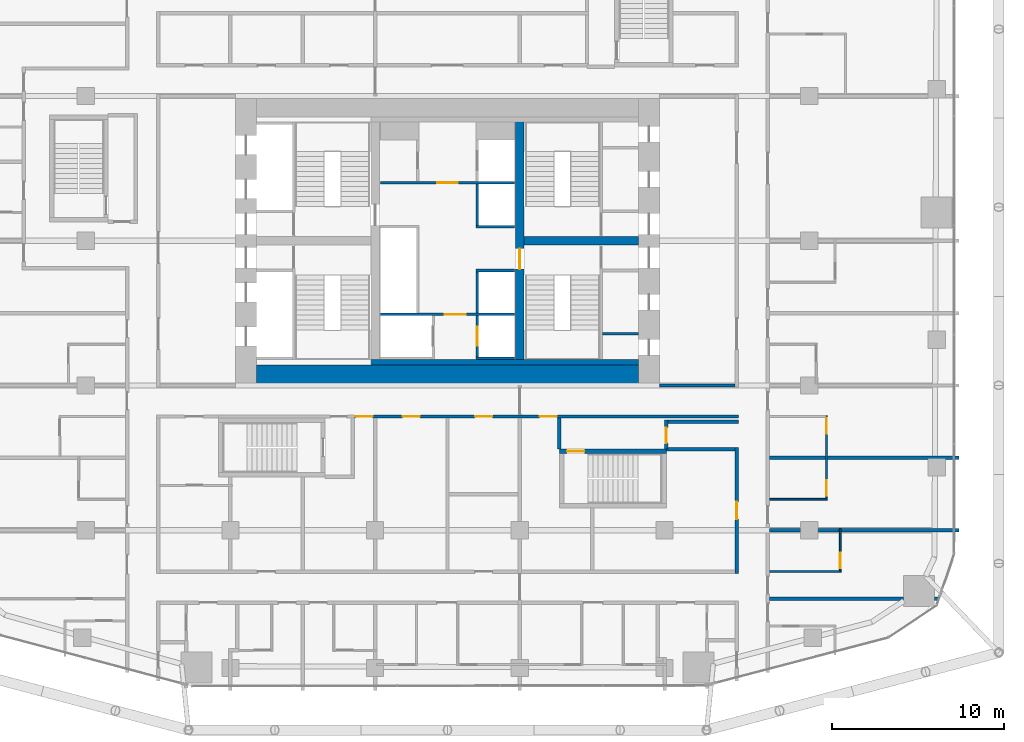
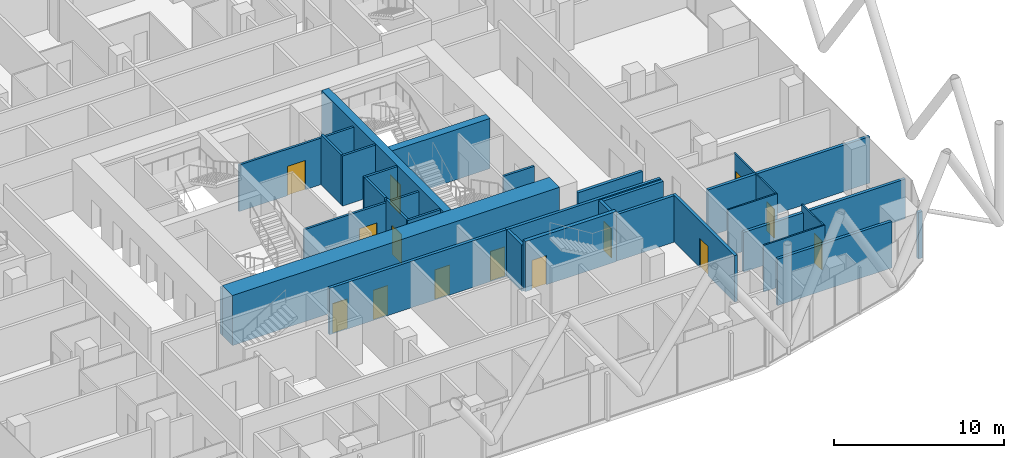
# One storey, part 27 of 35: 30 walls, 14 doors, 14 openings.
"""IFC4 building model written with IfcOpenShell, lengths in metres."""

import ifcopenshell
import ifcopenshell.guid

model = None  # the IFC model being written
_history = None  # IfcOwnerHistory: only IFC2X3 demands one
_inside = {}  # id of a spatial element -> (the spatial element, [elements in it])
_under = {}  # id of a project, library or spatial element -> (it, [spatial elements below it])
_declared = {}  # id of a project -> (the project, [libraries it declares])
_typed = {}  # id of a type object -> (the type object, [elements of that type])
_made_of = {}  # id of a material, layer set ... -> (it, [elements and type objects made of it])


def new_model(schema):
    """Start an empty IFC model of exactly this schema.

    Asked for "IFC4X3", IfcOpenShell would pick the latest addendum, in which some entities
    have other attributes; the version numbers below select the first issue.
    IFC2X3 requires an IfcOwnerHistory on every rooted entity: one is made here for all.
    """
    global model, _history
    if schema == "IFC4X3":
        model = ifcopenshell.file(schema_version=(4, 3, 0, 0))
    else:
        model = ifcopenshell.file(schema=schema)
    _inside.clear()
    _under.clear()
    _declared.clear()
    _typed.clear()
    _made_of.clear()
    _history = None
    if model.schema == "IFC2X3":
        org = make("IfcOrganization", Name="unknown")
        user = make(
            "IfcPersonAndOrganization",
            ThePerson=make("IfcPerson", FamilyName="unknown"),
            TheOrganization=org,
        )
        app = make(
            "IfcApplication",
            ApplicationDeveloper=org,
            Version="unknown",
            ApplicationFullName="unknown",
            ApplicationIdentifier="unknown",
        )
        _history = make(
            "IfcOwnerHistory",
            OwningUser=user,
            OwningApplication=app,
            ChangeAction="ADDED",
            CreationDate=0,
        )
    return model


def make(cls, **values):
    """One entity of the class cls with the attributes given. An attribute that is None is left unset."""
    return model.create_entity(
        cls, **{name: value for name, value in values.items() if value is not None}
    )


def rooted(cls, **values):
    """An entity with a GlobalId (a new one), such as an element, a storey or a relation."""
    return make(cls, GlobalId=ifcopenshell.guid.new(), OwnerHistory=_history, **values)


def si_unit(unit_type, name, prefix=None):
    """IfcSIUnit, for example si_unit("LENGTHUNIT", "METRE", prefix="MILLI")."""
    return make("IfcSIUnit", UnitType=unit_type, Prefix=prefix, Name=name)


def assignment(units):
    """IfcUnitAssignment: the units of a project."""
    return None if units is None else make("IfcUnitAssignment", Units=units)


def point(xyz):
    """IfcCartesianPoint."""
    return None if xyz is None else make("IfcCartesianPoint", Coordinates=xyz)


def direction(xyz):
    """IfcDirection."""
    return None if xyz is None else make("IfcDirection", DirectionRatios=xyz)


def frame(location, z_axis=None, x_axis=None):
    """IfcAxis2Placement3D, a coordinate frame: its origin and axes. An axis left out is left unset."""
    return make(
        "IfcAxis2Placement3D",
        Location=point(location),
        Axis=direction(z_axis),
        RefDirection=direction(x_axis),
    )


def frame_2d(location, x_axis=None):
    """IfcAxis2Placement2D, a coordinate frame in the plane: its origin and x axis."""
    return make(
        "IfcAxis2Placement2D", Location=point(location), RefDirection=direction(x_axis)
    )


def origin():
    """The frame at (0, 0, 0) with its axes left unset."""
    return frame((0.0, 0.0, 0.0))


def place(relative_to, where):
    """IfcLocalPlacement: puts the frame where relative to a parent placement (None: the world)."""
    return make(
        "IfcLocalPlacement", PlacementRelTo=relative_to, RelativePlacement=where
    )


def context(
    kind, dimensions, precision=None, world=None, true_north=None, identifier=None
):
    """IfcGeometricRepresentationContext, for example the 3D "Model" context."""
    return make(
        "IfcGeometricRepresentationContext",
        ContextIdentifier=identifier,
        ContextType=kind,
        CoordinateSpaceDimension=dimensions,
        Precision=precision,
        WorldCoordinateSystem=world,
        TrueNorth=true_north,
    )


def subcontext(parent, identifier, kind, view, scale=None):
    """IfcGeometricRepresentationSubContext, for example "Body" below "Model"."""
    return make(
        "IfcGeometricRepresentationSubContext",
        ContextIdentifier=identifier,
        ContextType=kind,
        ParentContext=parent,
        TargetScale=scale,
        TargetView=view,
    )


def project(units=None, contexts=None):
    """IfcProject with its units and contexts."""
    return rooted(
        "IfcProject",
        Name="project",
        RepresentationContexts=contexts,
        UnitsInContext=assignment(units),
    )


def spatial(cls, under=None, at=None, **own):
    """A site, building, storey or space (cls), placed at a placement, below another one or the project."""
    s = rooted(cls, ObjectPlacement=at, **own)
    if under is not None:
        _under.setdefault(under.id(), (under, []))[1].append(s)
    return s


def profile(cls, at=None, kind="AREA", **sizes):
    """A parametric profile (cls). Its sizes go by their IFC names, for example OverallWidth=200.0."""
    return make(cls, ProfileType=kind, Position=at, **sizes)


def rectangle(**sizes):
    """IfcRectangleProfileDef."""
    return profile("IfcRectangleProfileDef", **sizes)


def extrude(swept, where, along, depth):
    """IfcExtrudedAreaSolid: the profile swept, set in the frame where, extruded along a direction by depth."""
    return make(
        "IfcExtrudedAreaSolid",
        SweptArea=swept,
        Position=where,
        ExtrudedDirection=direction(along),
        Depth=depth,
    )


def shape(context_of_items, identifier, shape_type, items):
    """IfcShapeRepresentation: the items that make up one representation, for example the "Body"."""
    return make(
        "IfcShapeRepresentation",
        ContextOfItems=context_of_items,
        RepresentationIdentifier=identifier,
        RepresentationType=shape_type,
        Items=items,
    )


def material(Name=None, Category=None):
    """IfcMaterial."""
    return make("IfcMaterial", Name=Name, Category=Category)


def layer(
    of_material, thickness, ventilated=None, Name=None, Category=None, Priority=None
):
    """IfcMaterialLayer: one layer of a wall or slab, of a material (None: an air gap)."""
    return make(
        "IfcMaterialLayer",
        Material=of_material,
        LayerThickness=thickness,
        IsVentilated=ventilated,
        Name=Name,
        Category=Category,
        Priority=Priority,
    )


def layer_set(layers, Name=None):
    """IfcMaterialLayerSet."""
    return make("IfcMaterialLayerSet", MaterialLayers=layers, LayerSetName=Name)


def made_of(thing, what):
    """Note that an element or type object is made of a material, layer set ...; save() writes the relation."""
    if what is not None:
        _made_of.setdefault(what.id(), (what, []))[1].append(thing)
    return thing


def type_object(cls, material=None, **own):
    """A type object (cls), such as IfcWallType, which elements share."""
    return made_of(rooted(cls, **own), material)


def element(
    cls,
    number,
    at=None,
    inside=None,
    cuts=None,
    type_object=None,
    material=None,
    context=None,
    identifier="Body",
    shape_type=None,
    held_by="IfcProductDefinitionShape",
    body=None,
    shapes=None,
    **own,
):
    """One element of the class cls, such as IfcWall. Its Tag is "e" and its number.

    at: its placement. inside: the storey or other place that contains it. cuts: it is an
    opening in that element (IfcRelVoidsElement). A single representation is given by context,
    identifier, shape_type and body (its items); several are given by shapes. held_by: the class
    of the entity that holds the representations. save() writes the other relations.
    """
    e = rooted(cls, Tag="e%d" % number, ObjectPlacement=at, **own)
    if body is not None:
        shapes = [shape(context, identifier, shape_type, body)]
    if shapes is not None:
        e.Representation = make(held_by, Representations=shapes)
    if inside is not None:
        _inside.setdefault(inside.id(), (inside, []))[1].append(e)
    if cuts is not None:
        rooted(
            "IfcRelVoidsElement", RelatingBuildingElement=cuts, RelatedOpeningElement=e
        )
    if type_object is not None:
        _typed.setdefault(type_object.id(), (type_object, []))[1].append(e)
    return made_of(e, material)


def fill(opening, filler):
    """IfcRelFillsElement: the door or window that sits in an opening."""
    return rooted(
        "IfcRelFillsElement",
        RelatingOpeningElement=opening,
        RelatedBuildingElement=filler,
    )


def aggregate(whole, parts):
    """IfcRelAggregates: a whole, such as a stair, and the parts it consists of."""
    return rooted("IfcRelAggregates", RelatingObject=whole, RelatedObjects=parts)


def save(model, path):
    """Write the relations noted so far, then the file.

    IfcRelAggregates (storeys below a building ...), IfcRelContainedInSpatialStructure (elements
    in a storey), IfcRelDefinesByType, IfcRelAssociatesMaterial and IfcRelDeclares: one each for
    every whole, place, type object, material and project.
    """
    for whole, parts in _under.values():
        aggregate(whole, parts)
    for where, things in _inside.values():
        rooted(
            "IfcRelContainedInSpatialStructure",
            RelatedElements=things,
            RelatingStructure=where,
        )
    for kind, things in _typed.values():
        rooted("IfcRelDefinesByType", RelatedObjects=things, RelatingType=kind)
    for what, things in _made_of.values():
        rooted("IfcRelAssociatesMaterial", RelatedObjects=things, RelatingMaterial=what)
    for by, libraries in _declared.values():
        rooted("IfcRelDeclares", RelatingContext=by, RelatedDefinitions=libraries)
    model.write(path)


model = new_model("IFC4")

# Units and contexts
model_context = context("Model", 3, precision=1e-05, world=origin(), true_north=direction((0.0, 1.0)))
body_context = subcontext(model_context, "Body", "Model", "MODEL_VIEW")
ifc_project = project(units=[si_unit("LENGTHUNIT", "METRE"), si_unit("AREAUNIT", "SQUARE_METRE"), si_unit("VOLUMEUNIT", "CUBIC_METRE"), si_unit("PLANEANGLEUNIT", "RADIAN"), si_unit("MASSUNIT", "GRAM", prefix="KILO")], contexts=[model_context])

# Site, building, storey
site_placement = place(None, origin())
site = spatial("IfcSite", under=ifc_project, at=site_placement, CompositionType="ELEMENT")
building_placement = place(site_placement, origin())
building = spatial("IfcBuilding", under=site, at=building_placement, Name="Marenta Gate Hotel Tower", CompositionType="ELEMENT")
storey_placement = place(building_placement, frame((0.0, 0.0, 61.699951171875)))
storey = spatial("IfcBuildingStorey", under=building, at=storey_placement, Name="L13", CompositionType="ELEMENT", Elevation=61.699951171875)

# Walls
ifc_material_1 = material(Name="Concrete blockwork", Category="masonry")
ifc_layer_1 = layer(ifc_material_1, 0.199951171875)
ifc_layer_set_1 = layer_set([ifc_layer_1], Name="Concrete blockwork")
wall_type_1 = type_object("IfcWallType", Name="Core boundary wall 200 REI 180", PredefinedType="PARTITIONING", material=ifc_layer_set_1)
wall_1_placement = place(storey_placement, frame((12.300048828125, 0.0, 0.0), z_axis=(0.0, 0.0, 1.0), x_axis=(1.0, 0.0, 0.0)))
element("IfcWall", 1, at=wall_1_placement, inside=storey, type_object=wall_type_1, Name="L13-CP-EW-ES", PredefinedType="PARTITIONING", context=body_context, shape_type="SweptSolid", body=[
    extrude(rectangle(XDim=4.39990234375, YDim=0.199951171875, at=frame_2d((2.199951171875, 0.0))), origin(), (0.0, 0.0, 1.0), 2.840087890625),
])
ifc_material_2 = material(Name="Concrete C40", Category="concrete")
ifc_layer_2 = layer(ifc_material_2, 0.300048828125)
ifc_layer_set_2 = layer_set([ifc_layer_2], Name="Concrete C40")
wall_type_2 = type_object("IfcWallType", Name="Core lining wall 300 REI 180", PredefinedType="PARTITIONING", material=ifc_layer_set_2)
wall_2_placement = place(storey_placement, frame((-11.10009765625, 1.35009765625, 0.0), z_axis=(0.0, 0.0, 1.0), x_axis=(1.0, 0.0, 0.0)))
element("IfcWall", 2, at=wall_2_placement, inside=storey, type_object=wall_type_2, Name="L13-CP-LN-S", PredefinedType="PARTITIONING", context=body_context, shape_type="SweptSolid", body=[
    extrude(rectangle(XDim=22.2001953125, YDim=0.300048828125, at=frame_2d((11.10009765625, 0.0))), origin(), (0.0, 0.0, 1.0), 3.340087890625),
])

# Wall, opening, door
ifc_material_3 = material(Name="Concrete blockwork", Category="masonry")
ifc_layer_3 = layer(ifc_material_3, 0.14990234375)
ifc_layer_set_3 = layer_set([ifc_layer_3], Name="Concrete blockwork")
wall_type_3 = type_object("IfcWallType", Name="Core lobby partition 150 REI 180", PredefinedType="PARTITIONING", material=ifc_layer_set_3)
wall_3_placement = place(storey_placement, frame((-3.89990234375, 4.125, 0.0), z_axis=(0.0, 0.0, 1.0), x_axis=(1.0, 0.0, 0.0)))
wall_3 = element("IfcWall", 3, at=wall_3_placement, inside=storey, type_object=wall_type_3, Name="L13-CP-CW-S", PredefinedType="PARTITIONING", context=body_context, shape_type="SweptSolid", body=[
    extrude(rectangle(XDim=7.7998046875, YDim=0.14990234375, at=frame_2d((3.89990234375, 0.0))), origin(), (0.0, 0.0, 1.0), 3.340087890625),
])
opening_1_placement = place(wall_3_placement, frame((3.75, 0.0, 0.0)))
opening_1 = element("IfcOpeningElement", 4, at=opening_1_placement, cuts=wall_3, Name="Opening FD-FFS", PredefinedType="OPENING", context=body_context, shape_type="SweptSolid", body=[
    extrude(rectangle(XDim=1.199951171875, YDim=2.10009765625, at=frame_2d((0.60009765625, 1.050048828125))), frame((0.0, 0.074951171875, 0.0), z_axis=(0.0, -1.0, 0.0), x_axis=(1.0, 0.0, 0.0)), (0.0, 0.0, 1.0), 0.14990234375),
])
ifc_material_4 = material(Name="Steel", Category="steel")
door_type_1 = type_object("IfcDoorType", Name="Core lobby door 1200x2100 FD60", OperationType="SINGLE_SWING_LEFT", PredefinedType="DOOR", material=ifc_material_4)
door_1_placement = place(opening_1_placement, origin())
door_1 = element("IfcDoor", 5, at=door_1_placement, inside=storey, type_object=door_type_1, Name="FD-FFS", OperationType="SINGLE_SWING_LEFT", OverallHeight=2.10009765625, OverallWidth=1.199951171875, PredefinedType="DOOR", context=body_context, shape_type="SweptSolid", body=[
    extrude(rectangle(XDim=1.199951171875, YDim=2.10009765625, at=frame_2d((0.60009765625, 1.050048828125))), frame((0.0, 0.02490234375, 0.0), z_axis=(0.0, -1.0, 0.0), x_axis=(1.0, 0.0, 0.0)), (0.0, 0.0, 1.0), 0.050048828125),
])
fill(opening_1, door_1)

wall_4_placement = place(storey_placement, frame((-3.89990234375, 11.77490234375, 0.0), z_axis=(0.0, 0.0, 1.0), x_axis=(1.0, 0.0, 0.0)))
wall_4 = element("IfcWall", 6, at=wall_4_placement, inside=storey, type_object=wall_type_3, Name="L13-CP-CW-N", PredefinedType="PARTITIONING", context=body_context, shape_type="SweptSolid", body=[
    extrude(rectangle(XDim=7.7998046875, YDim=0.14990234375, at=frame_2d((3.89990234375, 0.0))), origin(), (0.0, 0.0, 1.0), 3.340087890625),
])
opening_2_placement = place(wall_4_placement, frame((3.300048828125, 0.0, 0.0)))
opening_2 = element("IfcOpeningElement", 7, at=opening_2_placement, cuts=wall_4, Name="Opening FD-FFN", PredefinedType="OPENING", context=body_context, shape_type="SweptSolid", body=[
    extrude(rectangle(XDim=1.199951171875, YDim=2.10009765625, at=frame_2d((0.60009765625, 1.050048828125))), frame((0.0, 0.074951171875, 0.0), z_axis=(0.0, -1.0, 0.0), x_axis=(1.0, 0.0, 0.0)), (0.0, 0.0, 1.0), 0.14990234375),
])
door_2_placement = place(opening_2_placement, origin())
door_2 = element("IfcDoor", 8, at=door_2_placement, inside=storey, type_object=door_type_1, Name="FD-FFN", OperationType="SINGLE_SWING_LEFT", OverallHeight=2.10009765625, OverallWidth=1.199951171875, PredefinedType="DOOR", context=body_context, shape_type="SweptSolid", body=[
    extrude(rectangle(XDim=1.199951171875, YDim=2.10009765625, at=frame_2d((0.60009765625, 1.050048828125))), frame((0.0, 0.02490234375, 0.0), z_axis=(0.0, -1.0, 0.0), x_axis=(1.0, 0.0, 0.0)), (0.0, 0.0, 1.0), 0.050048828125),
])
fill(opening_2, door_2)

# Wall
ifc_material_5 = material(Name="Concrete blockwork", Category="masonry")
ifc_layer_4 = layer(ifc_material_5, 0.14990234375)
ifc_layer_set_4 = layer_set([ifc_layer_4], Name="Concrete blockwork")
wall_type_4 = type_object("IfcWallType", Name="Core room partition 150 REI 180", PredefinedType="PARTITIONING", material=ifc_layer_set_4)
wall_5_placement = place(storey_placement, frame((9.0, 3.0, 0.0), z_axis=(0.0, 0.0, 1.0), x_axis=(1.0, 0.0, 0.0)))
element("IfcWall", 9, at=wall_5_placement, inside=storey, type_object=wall_type_4, Name="L13-CP-RW-ES-1", PredefinedType="PARTITIONING", context=body_context, shape_type="SweptSolid", body=[
    extrude(rectangle(XDim=2.10009765625, YDim=0.14990234375, at=frame_2d((1.050048828125, 0.0))), origin(), (0.0, 0.0, 1.0), 3.340087890625),
])

# Wall, opening, door
ifc_material_6 = material(Name="Concrete C40", Category="concrete")
ifc_layer_5 = layer(ifc_material_6, 0.14990234375)
ifc_layer_set_5 = layer_set([ifc_layer_5], Name="Concrete C40")
wall_type_5 = type_object("IfcWallType", Name="Core shaft wall 150 REI 180", PredefinedType="SHEAR", material=ifc_layer_set_5)
wall_6_placement = place(storey_placement, frame((1.72509765625, 1.64990234375, 0.0), z_axis=(0.0, 0.0, 1.0), x_axis=(0.0, 1.0, 0.0)))
wall_6 = element("IfcWall", 10, at=wall_6_placement, inside=storey, type_object=wall_type_5, Name="L13-SHF-CE-S-ls", PredefinedType="SHEAR", context=body_context, shape_type="SweptSolid", body=[
    extrude(rectangle(XDim=2.400146484375, YDim=0.14990234375, at=frame_2d((1.2001953125, 0.0))), origin(), (0.0, 0.0, 1.0), 3.60009765625),
])
opening_3_placement = place(wall_6_placement, frame((0.64990234375, 0.0, 0.0)))
opening_3 = element("IfcOpeningElement", 11, at=opening_3_placement, cuts=wall_6, Name="Opening LD-SV1", PredefinedType="OPENING", context=body_context, shape_type="SweptSolid", body=[
    extrude(rectangle(XDim=1.10009765625, YDim=2.10009765625, at=frame_2d((0.550048828125, 1.050048828125))), frame((0.0, 0.074951171875, 0.0), z_axis=(0.0, -1.0, 0.0), x_axis=(1.0, 0.0, 0.0)), (0.0, 0.0, 1.0), 0.14990234375),
])
ifc_material_7 = material(Name="Steel", Category="steel")
door_type_2 = type_object("IfcDoorType", Name="Core lift landing door 1100x2100 E 60", OperationType="SLIDING_TO_LEFT", PredefinedType="DOOR", material=ifc_material_7)
door_3_placement = place(opening_3_placement, origin())
door_3 = element("IfcDoor", 12, at=door_3_placement, inside=storey, type_object=door_type_2, Name="LD-SV1", OperationType="SLIDING_TO_LEFT", OverallHeight=2.10009765625, OverallWidth=1.10009765625, PredefinedType="DOOR", context=body_context, shape_type="SweptSolid", body=[
    extrude(rectangle(XDim=1.10009765625, YDim=2.10009765625, at=frame_2d((0.550048828125, 1.050048828125))), frame((0.0, 0.02490234375, 0.0), z_axis=(0.0, -1.0, 0.0), x_axis=(1.0, 0.0, 0.0)), (0.0, 0.0, 1.0), 0.050048828125),
])
fill(opening_3, door_3)

# Walls
for number, where, z_axis, x_axis, name in (
    (13, (1.64990234375, 1.574951171875, 0.0), (0.0, 0.0, 1.0), (1.0, 0.0, 0.0), "L13-SHF-CE-S-bot"),
    (14, (1.64990234375, 6.675048828125, 0.0), (0.0, 0.0, 1.0), (1.0, 0.0, 0.0), "L13-SHF-CE-sep1"),
    (15, (1.64990234375, 9.22509765625, 0.0), (0.0, 0.0, 1.0), (1.0, 0.0, 0.0), "L13-SHF-CE-sep2"),
):
    element("IfcWall", number, at=place(storey_placement, frame(where, z_axis=z_axis, x_axis=x_axis)), inside=storey, type_object=wall_type_5, Name=name, PredefinedType="SHEAR", context=body_context, shape_type="SweptSolid", body=[
        extrude(rectangle(XDim=2.25, YDim=0.14990234375, at=frame_2d((1.125, 0.0))), origin(), (0.0, 0.0, 1.0), 3.60009765625),
    ])
wall_7_placement = place(storey_placement, frame((1.72509765625, 4.199951171875, 0.0), z_axis=(0.0, 0.0, 1.0), x_axis=(0.0, 1.0, 0.0)))
element("IfcWall", 16, at=wall_7_placement, inside=storey, type_object=wall_type_5, Name="L13-SHF-CE-front-1", PredefinedType="SHEAR", context=body_context, shape_type="SweptSolid", body=[
    extrude(rectangle(XDim=2.400146484375, YDim=0.14990234375, at=frame_2d((1.2001953125, 0.0))), origin(), (0.0, 0.0, 1.0), 3.60009765625),
])
wall_8_placement = place(storey_placement, frame((1.72509765625, 9.300048828125, 0.0), z_axis=(0.0, 0.0, 1.0), x_axis=(0.0, 1.0, 0.0)))
element("IfcWall", 17, at=wall_8_placement, inside=storey, type_object=wall_type_5, Name="L13-SHF-CE-front-2", PredefinedType="SHEAR", context=body_context, shape_type="SweptSolid", body=[
    extrude(rectangle(XDim=2.39990234375, YDim=0.14990234375, at=frame_2d((1.199951171875, 0.0))), origin(), (0.0, 0.0, 1.0), 3.60009765625),
])
ifc_material_8 = material(Name="Concrete C80", Category="concrete")
ifc_layer_6 = layer(ifc_material_8, 1.199951171875)
ifc_layer_set_6 = layer_set([ifc_layer_6], Name="Concrete C80")
wall_type_6 = type_object("IfcWallType", Name="Core wall 1200 C80", PredefinedType="SHEAR", material=ifc_layer_set_6)
wall_9_placement = place(storey_placement, frame((-11.10009765625, 0.60009765625, 0.0), z_axis=(0.0, 0.0, 1.0), x_axis=(1.0, 0.0, 0.0)))
element("IfcWall", 18, at=wall_9_placement, inside=storey, type_object=wall_type_6, Name="L13-CORE-S", PredefinedType="SHEAR", context=body_context, shape_type="SweptSolid", body=[
    extrude(rectangle(XDim=22.2001953125, YDim=1.199951171875, at=frame_2d((11.10009765625, 0.0))), origin(), (0.0, 0.0, 1.0), 3.60009765625),
])

# Wall, opening, door
ifc_material_9 = material(Name="Concrete C80", Category="concrete")
ifc_layer_7 = layer(ifc_material_9, 0.5)
ifc_layer_set_7 = layer_set([ifc_layer_7], Name="Concrete C80")
wall_type_7 = type_object("IfcWallType", Name="Core web 500 C80", PredefinedType="SHEAR", material=ifc_layer_set_7)
wall_10_placement = place(storey_placement, frame((4.199951171875, 1.199951171875, 0.0), z_axis=(0.0, 0.0, 1.0), x_axis=(0.0, 1.0, 0.0)))
wall_10 = element("IfcWall", 19, at=wall_10_placement, inside=storey, type_object=wall_type_7, Name="L13-CORE-W2", PredefinedType="SHEAR", context=body_context, shape_type="SweptSolid", body=[
    extrude(rectangle(XDim=14.400146484375, YDim=0.5, at=frame_2d((7.2001953125, 0.0))), origin(), (0.0, 0.0, 1.0), 3.60009765625),
])
opening_4_placement = place(wall_10_placement, frame((5.550048828125, 0.0, 0.0)))
opening_4 = element("IfcOpeningElement", 20, at=opening_4_placement, cuts=wall_10, Name="Opening WD-E", PredefinedType="OPENING", context=body_context, shape_type="SweptSolid", body=[
    extrude(rectangle(XDim=1.199951171875, YDim=2.10009765625, at=frame_2d((0.60009765625, 1.050048828125))), frame((0.0, 0.25, 0.0), z_axis=(0.0, -1.0, 0.0), x_axis=(1.0, 0.0, 0.0)), (0.0, 0.0, 1.0), 0.5),
])
ifc_material_10 = material(Name="Steel", Category="steel")
door_type_3 = type_object("IfcDoorType", Name="Core stair door 1200x2100 FD60", OperationType="SINGLE_SWING_LEFT", PredefinedType="DOOR", material=ifc_material_10)
door_4_placement = place(opening_4_placement, origin())
door_4 = element("IfcDoor", 21, at=door_4_placement, inside=storey, type_object=door_type_3, Name="WD-E", OperationType="SINGLE_SWING_LEFT", OverallHeight=2.10009765625, OverallWidth=1.199951171875, PredefinedType="DOOR", context=body_context, shape_type="SweptSolid", body=[
    extrude(rectangle(XDim=1.199951171875, YDim=2.10009765625, at=frame_2d((0.60009765625, 1.050048828125))), frame((0.0, 0.02490234375, 0.0), z_axis=(0.0, -1.0, 0.0), x_axis=(1.0, 0.0, 0.0)), (0.0, 0.0, 1.0), 0.050048828125),
])
fill(opening_4, door_4)

# Wall
wall_11_placement = place(storey_placement, frame((4.449951171875, 8.39990234375, 0.0), z_axis=(0.0, 0.0, 1.0), x_axis=(1.0, 0.0, 0.0)))
element("IfcWall", 22, at=wall_11_placement, inside=storey, type_object=wall_type_7, Name="L13-CORE-W4", PredefinedType="SHEAR", context=body_context, shape_type="SweptSolid", body=[
    extrude(rectangle(XDim=6.650146484375, YDim=0.5, at=frame_2d((3.3251953125, 0.0))), origin(), (0.0, 0.0, 1.0), 3.60009765625),
])

# Wall, opening, door
ifc_material_11 = material(Name="Concrete C40", Category="concrete")
ifc_layer_8 = layer(ifc_material_11, 0.25)
ifc_layer_set_8 = layer_set([ifc_layer_8], Name="Concrete C40")
wall_type_8 = type_object("IfcWallType", Name="Remote stair enclosure wall 250 REI 180", PredefinedType="SHEAR", material=ifc_layer_set_8)
wall_12_placement = place(storey_placement, frame((6.5, -3.824951171875, 0.10009765625), z_axis=(0.0, 0.0, 1.0), x_axis=(1.0, 0.0, 0.0)))
wall_12 = element("IfcWall", 23, at=wall_12_placement, inside=storey, type_object=wall_type_8, Name="L13-RS-Z1-1-W2", PredefinedType="SHEAR", context=body_context, shape_type="SweptSolid", body=[
    extrude(rectangle(XDim=6.199951171875, YDim=0.25, at=frame_2d((3.10009765625, 0.0))), origin(), (0.0, 0.0, 1.0), 3.599853515625),
])
opening_5_placement = place(wall_12_placement, frame((0.449951171875, 0.0, 0.0)))
opening_5 = element("IfcOpeningElement", 24, at=opening_5_placement, cuts=wall_12, Name="Opening VD", PredefinedType="OPENING", context=body_context, shape_type="SweptSolid", body=[
    extrude(rectangle(XDim=1.0, YDim=2.10009765625, at=frame_2d((0.5, 1.050048828125))), frame((0.0, 0.125, 0.0), z_axis=(0.0, -1.0, 0.0), x_axis=(1.0, 0.0, 0.0)), (0.0, 0.0, 1.0), 0.25),
])
ifc_material_12 = material(Name="Steel", Category="steel")
door_type_4 = type_object("IfcDoorType", Name="Stair vestibule door 1000x2100 FD60", OperationType="SINGLE_SWING_LEFT", PredefinedType="DOOR", material=ifc_material_12)
door_5_placement = place(opening_5_placement, origin())
door_5 = element("IfcDoor", 25, at=door_5_placement, inside=storey, type_object=door_type_4, Name="VD", OperationType="SINGLE_SWING_LEFT", OverallHeight=2.10009765625, OverallWidth=1.0, PredefinedType="DOOR", context=body_context, shape_type="SweptSolid", body=[
    extrude(rectangle(XDim=1.0, YDim=2.10009765625, at=frame_2d((0.5, 1.050048828125))), frame((0.0, 0.02490234375, 0.0), z_axis=(0.0, -1.0, 0.0), x_axis=(1.0, 0.0, 0.0)), (0.0, 0.0, 1.0), 0.050048828125),
])
fill(opening_5, door_5)

ifc_material_13 = material(Name="Gypsum board on steel stud", Category="steel")
ifc_layer_9 = layer(ifc_material_13, 0.199951171875)
ifc_layer_set_9 = layer_set([ifc_layer_9], Name="Gypsum board on steel stud")
wall_type_9 = type_object("IfcWallType", Name="Room corridor wall 200 EI 60", PredefinedType="PARTITIONING", material=ifc_layer_set_9)
wall_13_placement = place(storey_placement, frame((16.800048828125, -10.89990234375, 0.0), z_axis=(0.0, 0.0, 1.0), x_axis=(0.0, 1.0, 0.0)))
wall_13 = element("IfcWall", 26, at=wall_13_placement, inside=storey, type_object=wall_type_9, Name="L13-PTN-W011", PredefinedType="PARTITIONING", context=body_context, shape_type="SweptSolid", body=[
    extrude(rectangle(XDim=7.2998046875, YDim=0.199951171875, at=frame_2d((3.64990234375, 0.0))), origin(), (0.0, 0.0, 1.0), 3.340087890625),
])
opening_6_placement = place(wall_13_placement, frame((3.14990234375, 0.0, 0.0)))
opening_6 = element("IfcOpeningElement", 27, at=opening_6_placement, cuts=wall_13, Name="Opening G04-72", PredefinedType="OPENING", context=body_context, shape_type="SweptSolid", body=[
    extrude(rectangle(XDim=1.0, YDim=2.10009765625, at=frame_2d((0.5, 1.050048828125))), frame((0.0, 0.10009765625, 0.0), z_axis=(0.0, -1.0, 0.0), x_axis=(1.0, 0.0, 0.0)), (0.0, 0.0, 1.0), 0.199951171875),
])
ifc_material_14 = material(Name="Timber door leaf", Category="wood")
door_type_5 = type_object("IfcDoorType", Name="Room amenity door 1000x2100 EI 30", OperationType="NOTDEFINED", PredefinedType="DOOR", material=ifc_material_14)
door_6_placement = place(opening_6_placement, origin())
door_6 = element("IfcDoor", 28, at=door_6_placement, inside=storey, type_object=door_type_5, Name="L13-PD-D072", OperationType="SINGLE_SWING_RIGHT", OverallHeight=2.10009765625, OverallWidth=1.0, PredefinedType="DOOR", context=body_context, shape_type="SweptSolid", body=[
    extrude(rectangle(XDim=1.0, YDim=2.10009765625, at=frame_2d((0.5, 1.050048828125))), frame((0.0, 0.02490234375, 0.0), z_axis=(0.0, -1.0, 0.0), x_axis=(1.0, 0.0, 0.0)), (0.0, 0.0, 1.0), 0.050048828125),
])
fill(opening_6, door_6)

# Wall
wall_14_placement = place(storey_placement, frame((12.699951171875, -3.699951171875, 0.0), z_axis=(0.0, 0.0, 1.0), x_axis=(1.0, 0.0, 0.0)))
element("IfcWall", 29, at=wall_14_placement, inside=storey, type_object=wall_type_9, Name="L13-PTN-W058", PredefinedType="PARTITIONING", context=body_context, shape_type="SweptSolid", body=[
    extrude(rectangle(XDim=4.0, YDim=0.199951171875, at=frame_2d((2.0, 0.0))), origin(), (0.0, 0.0, 1.0), 3.340087890625),
])

# Wall, openings, doors
wall_15_placement = place(storey_placement, frame((-5.60009765625, -1.800048828125, 0.0), z_axis=(0.0, 0.0, 1.0), x_axis=(1.0, 0.0, 0.0)))
wall_15 = element("IfcWall", 30, at=wall_15_placement, inside=storey, type_object=wall_type_9, Name="L13-PTN-W064", PredefinedType="PARTITIONING", context=body_context, shape_type="SweptSolid", body=[
    extrude(rectangle(XDim=12.2001953125, YDim=0.199951171875, at=frame_2d((6.10009765625, 0.0))), origin(), (0.0, 0.0, 1.0), 3.340087890625),
])
opening_7_placement = place(wall_15_placement, frame((0.25, 0.0, 0.0)))
opening_7 = element("IfcOpeningElement", 31, at=opening_7_placement, cuts=wall_15, Name="Opening G04-07", PredefinedType="OPENING", context=body_context, shape_type="SweptSolid", body=[
    extrude(rectangle(XDim=1.0, YDim=2.10009765625, at=frame_2d((0.5, 1.050048828125))), frame((0.0, 0.10009765625, 0.0), z_axis=(0.0, -1.0, 0.0), x_axis=(1.0, 0.0, 0.0)), (0.0, 0.0, 1.0), 0.199951171875),
])
opening_8_placement = place(wall_15_placement, frame((3.0, 0.0, 0.0)))
opening_8 = element("IfcOpeningElement", 32, at=opening_8_placement, cuts=wall_15, Name="Opening G04-08", PredefinedType="OPENING", context=body_context, shape_type="SweptSolid", body=[
    extrude(rectangle(XDim=1.0, YDim=2.10009765625, at=frame_2d((0.5, 1.050048828125))), frame((0.0, 0.10009765625, 0.0), z_axis=(0.0, -1.0, 0.0), x_axis=(1.0, 0.0, 0.0)), (0.0, 0.0, 1.0), 0.199951171875),
])
opening_9_placement = place(wall_15_placement, frame((10.949951171875, 0.0, 0.0)))
opening_9 = element("IfcOpeningElement", 33, at=opening_9_placement, cuts=wall_15, Name="Opening G04-09", PredefinedType="OPENING", context=body_context, shape_type="SweptSolid", body=[
    extrude(rectangle(XDim=1.0, YDim=2.10009765625, at=frame_2d((0.5, 1.050048828125))), frame((0.0, 0.10009765625, 0.0), z_axis=(0.0, -1.0, 0.0), x_axis=(1.0, 0.0, 0.0)), (0.0, 0.0, 1.0), 0.199951171875),
])
opening_10_placement = place(wall_15_placement, frame((7.199951171875, 0.0, 0.0)))
opening_10 = element("IfcOpeningElement", 34, at=opening_10_placement, cuts=wall_15, Name="Opening G04-77", PredefinedType="OPENING", context=body_context, shape_type="SweptSolid", body=[
    extrude(rectangle(XDim=1.0, YDim=2.10009765625, at=frame_2d((0.5, 1.050048828125))), frame((0.0, 0.10009765625, 0.0), z_axis=(0.0, -1.0, 0.0), x_axis=(1.0, 0.0, 0.0)), (0.0, 0.0, 1.0), 0.199951171875),
])
door_7_placement = place(opening_7_placement, origin())
door_7 = element("IfcDoor", 35, at=door_7_placement, inside=storey, type_object=door_type_5, Name="L13-PD-D007", OperationType="SINGLE_SWING_RIGHT", OverallHeight=2.10009765625, OverallWidth=1.0, PredefinedType="DOOR", context=body_context, shape_type="SweptSolid", body=[
    extrude(rectangle(XDim=1.0, YDim=2.10009765625, at=frame_2d((0.5, 1.050048828125))), frame((0.0, 0.02490234375, 0.0), z_axis=(0.0, -1.0, 0.0), x_axis=(1.0, 0.0, 0.0)), (0.0, 0.0, 1.0), 0.050048828125),
])
fill(opening_7, door_7)
door_8_placement = place(opening_8_placement, origin())
door_8 = element("IfcDoor", 36, at=door_8_placement, inside=storey, type_object=door_type_5, Name="L13-PD-D008", OperationType="SINGLE_SWING_LEFT", OverallHeight=2.10009765625, OverallWidth=1.0, PredefinedType="DOOR", context=body_context, shape_type="SweptSolid", body=[
    extrude(rectangle(XDim=1.0, YDim=2.10009765625, at=frame_2d((0.5, 1.050048828125))), frame((0.0, 0.02490234375, 0.0), z_axis=(0.0, -1.0, 0.0), x_axis=(1.0, 0.0, 0.0)), (0.0, 0.0, 1.0), 0.050048828125),
])
fill(opening_8, door_8)
door_9_placement = place(opening_9_placement, origin())
door_9 = element("IfcDoor", 37, at=door_9_placement, inside=storey, type_object=door_type_5, Name="L13-PD-D009", OperationType="SINGLE_SWING_RIGHT", OverallHeight=2.10009765625, OverallWidth=1.0, PredefinedType="DOOR", context=body_context, shape_type="SweptSolid", body=[
    extrude(rectangle(XDim=1.0, YDim=2.10009765625, at=frame_2d((0.5, 1.050048828125))), frame((0.0, 0.02490234375, 0.0), z_axis=(0.0, -1.0, 0.0), x_axis=(1.0, 0.0, 0.0)), (0.0, 0.0, 1.0), 0.050048828125),
])
fill(opening_9, door_9)
door_10_placement = place(opening_10_placement, origin())
door_10 = element("IfcDoor", 38, at=door_10_placement, inside=storey, type_object=door_type_5, Name="L13-PD-D077", OperationType="SINGLE_SWING_RIGHT", OverallHeight=2.10009765625, OverallWidth=1.0, PredefinedType="DOOR", context=body_context, shape_type="SweptSolid", body=[
    extrude(rectangle(XDim=1.0, YDim=2.10009765625, at=frame_2d((0.5, 1.050048828125))), frame((0.0, 0.02490234375, 0.0), z_axis=(0.0, -1.0, 0.0), x_axis=(1.0, 0.0, 0.0)), (0.0, 0.0, 1.0), 0.050048828125),
])
fill(opening_10, door_10)

# Wall, opening, door
ifc_material_15 = material(Name="Concrete blockwork", Category="masonry")
ifc_layer_10 = layer(ifc_material_15, 0.199951171875)
ifc_layer_set_10 = layer_set([ifc_layer_10], Name="Concrete blockwork")
wall_type_10 = type_object("IfcWallType", Name="Room corridor wall 200 REI 180", PredefinedType="PARTITIONING", material=ifc_layer_set_10)
wall_16_placement = place(storey_placement, frame((12.699951171875, -3.699951171875, 0.0), z_axis=(0.0, 0.0, 1.0), x_axis=(0.0, 1.0, 0.0)))
wall_16 = element("IfcWall", 39, at=wall_16_placement, inside=storey, type_object=wall_type_10, Name="L13-PTN-W028", PredefinedType="PARTITIONING", context=body_context, shape_type="SweptSolid", body=[
    extrude(rectangle(XDim=1.699951171875, YDim=0.199951171875, at=frame_2d((0.85009765625, 0.0))), origin(), (0.0, 0.0, 1.0), 3.340087890625),
])
opening_11_placement = place(wall_16_placement, frame((0.35009765625, 0.0, 0.0)))
opening_11 = element("IfcOpeningElement", 40, at=opening_11_placement, cuts=wall_16, Name="Opening G04-67", PredefinedType="OPENING", context=body_context, shape_type="SweptSolid", body=[
    extrude(rectangle(XDim=0.89990234375, YDim=2.10009765625, at=frame_2d((0.449951171875, 1.050048828125))), frame((0.0, 0.10009765625, 0.0), z_axis=(0.0, -1.0, 0.0), x_axis=(1.0, 0.0, 0.0)), (0.0, 0.0, 1.0), 0.199951171875),
])
ifc_material_16 = material(Name="Hollow steel door set", Category="steel")
door_type_6 = type_object("IfcDoorType", Name="Stair vestibule door 900x2100 EI 60", OperationType="NOTDEFINED", PredefinedType="DOOR", material=ifc_material_16)
door_11_placement = place(opening_11_placement, origin())
door_11 = element("IfcDoor", 41, at=door_11_placement, inside=storey, type_object=door_type_6, Name="L13-PD-D067", OperationType="SINGLE_SWING_RIGHT", OverallHeight=2.10009765625, OverallWidth=0.89990234375, PredefinedType="DOOR", context=body_context, shape_type="SweptSolid", body=[
    extrude(rectangle(XDim=0.89990234375, YDim=2.10009765625, at=frame_2d((0.449951171875, 1.050048828125))), frame((0.0, 0.02490234375, 0.0), z_axis=(0.0, -1.0, 0.0), x_axis=(1.0, 0.0, 0.0)), (0.0, 0.0, 1.0), 0.050048828125),
])
fill(opening_11, door_11)

# Walls
wall_17_placement = place(storey_placement, frame((12.800048828125, -2.10009765625, 0.0), z_axis=(0.0, 0.0, 1.0), x_axis=(1.0, 0.0, 0.0)))
element("IfcWall", 42, at=wall_17_placement, inside=storey, type_object=wall_type_10, Name="L13-PTN-W059", PredefinedType="PARTITIONING", context=body_context, shape_type="SweptSolid", body=[
    extrude(rectangle(XDim=4.099853515625, YDim=0.199951171875, at=frame_2d((2.0498046875, 0.0))), origin(), (0.0, 0.0, 1.0), 3.340087890625),
])
wall_18_placement = place(storey_placement, frame((6.39990234375, -1.800048828125, 0.0), z_axis=(0.0, 0.0, 1.0), x_axis=(1.0, 0.0, 0.0)))
element("IfcWall", 43, at=wall_18_placement, inside=storey, type_object=wall_type_10, Name="L13-PTN-W066", PredefinedType="PARTITIONING", context=body_context, shape_type="SweptSolid", body=[
    extrude(rectangle(XDim=10.5, YDim=0.199951171875, at=frame_2d((5.25, 0.0))), origin(), (0.0, 0.0, 1.0), 3.340087890625),
])

# Wall, opening, door
ifc_material_17 = material(Name="Gypsum board on steel stud", Category="steel")
ifc_layer_11 = layer(ifc_material_17, 0.10009765625)
ifc_layer_set_11 = layer_set([ifc_layer_11], Name="Gypsum board on steel stud")
wall_type_11 = type_object("IfcWallType", Name="Room partition 100", PredefinedType="PARTITIONING", material=ifc_layer_set_11)
wall_19_placement = place(storey_placement, frame((22.800048828125, -10.75, 0.0), z_axis=(0.0, 0.0, 1.0), x_axis=(0.0, 1.0, 0.0)))
wall_19 = element("IfcWall", 44, at=wall_19_placement, inside=storey, type_object=wall_type_11, Name="L13-PTN-W002", PredefinedType="PARTITIONING", context=body_context, shape_type="SweptSolid", body=[
    extrude(rectangle(XDim=2.449951171875, YDim=0.10009765625, at=frame_2d((1.22509765625, 0.0))), origin(), (0.0, 0.0, 1.0), 3.340087890625),
])
opening_12_placement = place(wall_19_placement, frame((0.14990234375, 0.0, 0.0)))
opening_12 = element("IfcOpeningElement", 45, at=opening_12_placement, cuts=wall_19, Name="Opening G04-13", PredefinedType="OPENING", context=body_context, shape_type="SweptSolid", body=[
    extrude(rectangle(XDim=0.89990234375, YDim=2.10009765625, at=frame_2d((0.449951171875, 1.050048828125))), frame((0.0, 0.050048828125, 0.0), z_axis=(0.0, -1.0, 0.0), x_axis=(1.0, 0.0, 0.0)), (0.0, 0.0, 1.0), 0.10009765625),
])
ifc_material_18 = material(Name="Timber door leaf", Category="wood")
door_type_7 = type_object("IfcDoorType", Name="Guest bathroom door 900x2100", OperationType="NOTDEFINED", PredefinedType="DOOR", material=ifc_material_18)
door_12_placement = place(opening_12_placement, origin())
door_12 = element("IfcDoor", 46, at=door_12_placement, inside=storey, type_object=door_type_7, Name="L13-PD-D013", OperationType="SINGLE_SWING_LEFT", OverallHeight=2.10009765625, OverallWidth=0.89990234375, PredefinedType="DOOR", context=body_context, shape_type="SweptSolid", body=[
    extrude(rectangle(XDim=0.89990234375, YDim=2.10009765625, at=frame_2d((0.449951171875, 1.050048828125))), frame((0.0, 0.02490234375, 0.0), z_axis=(0.0, -1.0, 0.0), x_axis=(1.0, 0.0, 0.0)), (0.0, 0.0, 1.0), 0.050048828125),
])
fill(opening_12, door_12)

# Wall, openings, doors
wall_20_placement = place(storey_placement, frame((22.0, -6.550048828125, 0.0), z_axis=(0.0, 0.0, 1.0), x_axis=(0.0, 1.0, 0.0)))
wall_20 = element("IfcWall", 47, at=wall_20_placement, inside=storey, type_object=wall_type_11, Name="L13-PTN-W007", PredefinedType="PARTITIONING", context=body_context, shape_type="SweptSolid", body=[
    extrude(rectangle(XDim=4.800048828125, YDim=0.10009765625, at=frame_2d((2.39990234375, 0.0))), origin(), (0.0, 0.0, 1.0), 3.340087890625),
])
opening_13_placement = place(wall_20_placement, frame((0.14990234375, 0.0, 0.0)))
opening_13 = element("IfcOpeningElement", 48, at=opening_13_placement, cuts=wall_20, Name="Opening G04-15", PredefinedType="OPENING", context=body_context, shape_type="SweptSolid", body=[
    extrude(rectangle(XDim=0.89990234375, YDim=2.10009765625, at=frame_2d((0.449951171875, 1.050048828125))), frame((0.0, 0.050048828125, 0.0), z_axis=(0.0, -1.0, 0.0), x_axis=(1.0, 0.0, 0.0)), (0.0, 0.0, 1.0), 0.10009765625),
])
opening_14_placement = place(wall_20_placement, frame((3.75, 0.0, 0.0)))
opening_14 = element("IfcOpeningElement", 49, at=opening_14_placement, cuts=wall_20, Name="Opening G04-17", PredefinedType="OPENING", context=body_context, shape_type="SweptSolid", body=[
    extrude(rectangle(XDim=0.89990234375, YDim=2.10009765625, at=frame_2d((0.449951171875, 1.050048828125))), frame((0.0, 0.050048828125, 0.0), z_axis=(0.0, -1.0, 0.0), x_axis=(1.0, 0.0, 0.0)), (0.0, 0.0, 1.0), 0.10009765625),
])
door_13_placement = place(opening_13_placement, origin())
door_13 = element("IfcDoor", 50, at=door_13_placement, inside=storey, type_object=door_type_7, Name="L13-PD-D015", OperationType="SINGLE_SWING_LEFT", OverallHeight=2.10009765625, OverallWidth=0.89990234375, PredefinedType="DOOR", context=body_context, shape_type="SweptSolid", body=[
    extrude(rectangle(XDim=0.89990234375, YDim=2.10009765625, at=frame_2d((0.449951171875, 1.050048828125))), frame((0.0, 0.02490234375, 0.0), z_axis=(0.0, -1.0, 0.0), x_axis=(1.0, 0.0, 0.0)), (0.0, 0.0, 1.0), 0.050048828125),
])
fill(opening_13, door_13)
door_14_placement = place(opening_14_placement, origin())
door_14 = element("IfcDoor", 51, at=door_14_placement, inside=storey, type_object=door_type_7, Name="L13-PD-D017", OperationType="SINGLE_SWING_RIGHT", OverallHeight=2.10009765625, OverallWidth=0.89990234375, PredefinedType="DOOR", context=body_context, shape_type="SweptSolid", body=[
    extrude(rectangle(XDim=0.89990234375, YDim=2.10009765625, at=frame_2d((0.449951171875, 1.050048828125))), frame((0.0, 0.02490234375, 0.0), z_axis=(0.0, -1.0, 0.0), x_axis=(1.0, 0.0, 0.0)), (0.0, 0.0, 1.0), 0.050048828125),
])
fill(opening_14, door_14)

# Walls
wall_21_placement = place(storey_placement, frame((18.699951171875, -10.800048828125, 0.0), z_axis=(0.0, 0.0, 1.0), x_axis=(1.0, 0.0, 0.0)))
element("IfcWall", 52, at=wall_21_placement, inside=storey, type_object=wall_type_11, Name="L13-PTN-W035", PredefinedType="PARTITIONING", context=body_context, shape_type="SweptSolid", body=[
    extrude(rectangle(XDim=4.150146484375, YDim=0.10009765625, at=frame_2d((2.0751953125, 0.0))), origin(), (0.0, 0.0, 1.0), 3.340087890625),
])
wall_22_placement = place(storey_placement, frame((18.699951171875, -6.60009765625, 0.0), z_axis=(0.0, 0.0, 1.0), x_axis=(1.0, 0.0, 0.0)))
element("IfcWall", 53, at=wall_22_placement, inside=storey, type_object=wall_type_11, Name="L13-PTN-W046", PredefinedType="PARTITIONING", context=body_context, shape_type="SweptSolid", body=[
    extrude(rectangle(XDim=3.35009765625, YDim=0.10009765625, at=frame_2d((1.675048828125, 0.0))), origin(), (0.0, 0.0, 1.0), 3.340087890625),
])
ifc_material_19 = material(Name="Gypsum board on steel stud", Category="steel")
ifc_layer_12 = layer(ifc_material_19, 0.199951171875)
ifc_layer_set_12 = layer_set([ifc_layer_12], Name="Gypsum board on steel stud")
wall_type_12 = type_object("IfcWallType", Name="Room party wall 200 EI 60", PredefinedType="PARTITIONING", material=ifc_layer_set_12)
wall_23_placement = place(storey_placement, frame((18.699951171875, -12.383056640625, 0.0), z_axis=(0.0, 0.0, 1.0), x_axis=(1.0, 0.0, 0.0)))
element("IfcWall", 54, at=wall_23_placement, inside=storey, type_object=wall_type_12, Name="L13-PTN-W032", PredefinedType="PARTITIONING", context=body_context, shape_type="SweptSolid", body=[
    extrude(rectangle(XDim=7.762939453125, YDim=0.199951171875, at=frame_2d((3.88134765625, 0.0))), origin(), (0.0, 0.0, 1.0), 3.340087890625),
])
wall_24_placement = place(storey_placement, frame((28.262939453125, -12.383056640625, 0.0), z_axis=(0.0, 0.0, 1.0), x_axis=(1.0, 0.0, 0.0)))
element("IfcWall", 55, at=wall_24_placement, inside=storey, type_object=wall_type_12, Name="L13-PTN-W158", PredefinedType="PARTITIONING", context=body_context, shape_type="SweptSolid", body=[
    extrude(rectangle(XDim=0.2900390625, YDim=0.199951171875, at=frame_2d((0.14501953125, 0.0))), origin(), (0.0, 0.0, 1.0), 3.340087890625),
])
wall_25_placement = place(storey_placement, frame((18.699951171875, -8.39990234375, 0.0), z_axis=(0.0, 0.0, 1.0), x_axis=(1.0, 0.0, 0.0)))
element("IfcWall", 56, at=wall_25_placement, inside=storey, type_object=wall_type_12, Name="L13-PTN-W040", PredefinedType="PARTITIONING", context=body_context, shape_type="SweptSolid", body=[
    extrude(rectangle(XDim=11.0, YDim=0.199951171875, at=frame_2d((5.5, 0.0))), origin(), (0.0, 0.0, 1.0), 2.840087890625),
])
wall_26_placement = place(storey_placement, frame((18.699951171875, -4.199951171875, 0.0), z_axis=(0.0, 0.0, 1.0), x_axis=(1.0, 0.0, 0.0)))
element("IfcWall", 57, at=wall_26_placement, inside=storey, type_object=wall_type_12, Name="L13-PTN-W057", PredefinedType="PARTITIONING", context=body_context, shape_type="SweptSolid", body=[
    extrude(rectangle(XDim=11.0, YDim=0.199951171875, at=frame_2d((5.5, 0.0))), origin(), (0.0, 0.0, 1.0), 3.340087890625),
])
ifc_material_20 = material(Name="Concrete blockwork", Category="masonry")
ifc_layer_13 = layer(ifc_material_20, 0.199951171875)
ifc_layer_set_13 = layer_set([ifc_layer_13], Name="Concrete blockwork")
wall_type_13 = type_object("IfcWallType", Name="Room party wall 200 REI 180", PredefinedType="PARTITIONING", material=ifc_layer_set_13)
wall_27_placement = place(storey_placement, frame((6.5, -3.699951171875, 0.0), z_axis=(0.0, 0.0, 1.0), x_axis=(0.0, 1.0, 0.0)))
element("IfcWall", 58, at=wall_27_placement, inside=storey, type_object=wall_type_13, Name="L13-PTN-W047", PredefinedType="PARTITIONING", context=body_context, shape_type="SweptSolid", body=[
    extrude(rectangle(XDim=1.800048828125, YDim=0.199951171875, at=frame_2d((0.89990234375, 0.0))), origin(), (0.0, 0.0, 1.0), 3.340087890625),
])

save(model, "model.ifc")
